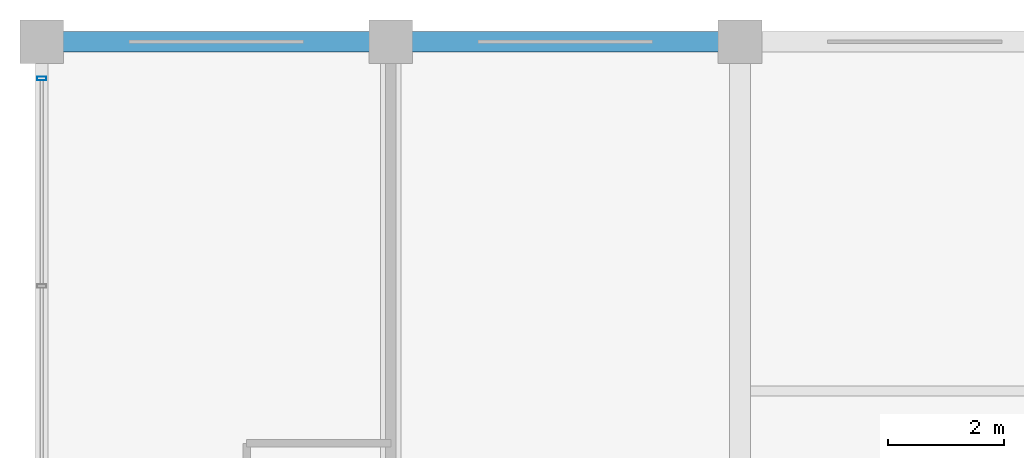
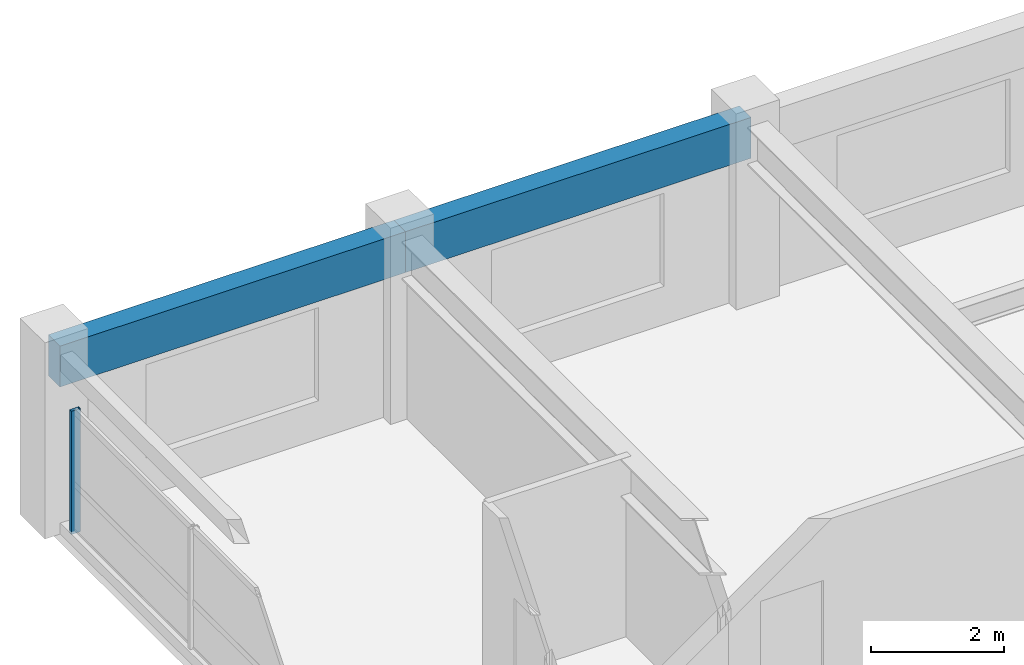
# One storey, part 12 of 20: 2 beams, 1 member, 1 element without a shape of its own.
"""IFC4 building model written with IfcOpenShell, lengths in metres."""

from ifc_helpers import new_model, si_unit, direction, frame, origin, origin_2d, place, context, subcontext, project, spatial, rectangle, hollow_rectangle, extrude, material, material_profile, profile_set, type_object, element, aggregate, save


model = new_model("IFC4")

# Units and contexts
model_context = context("Model", 3, precision=1e-05, world=origin(), true_north=direction((0.0, 1.0)))
body_context = subcontext(model_context, "Body", "Model", "MODEL_VIEW")
ifc_project = project(units=[si_unit("LENGTHUNIT", "METRE"), si_unit("AREAUNIT", "SQUARE_METRE"), si_unit("VOLUMEUNIT", "CUBIC_METRE"), si_unit("PLANEANGLEUNIT", "RADIAN"), si_unit("MASSUNIT", "GRAM", prefix="KILO")], contexts=[model_context])

# Site, building, storey
site_placement = place(None, origin())
site = spatial("IfcSite", under=ifc_project, at=site_placement, CompositionType="ELEMENT")
building_placement = place(site_placement, origin())
building = spatial("IfcBuilding", under=site, at=building_placement, Name="Kaldorvane Square Convention Centre", CompositionType="ELEMENT")
storey_placement = place(building_placement, frame((0.0, 0.0, 56.399993896484375)))
storey = spatial("IfcBuildingStorey", under=building, at=storey_placement, Name="L13", CompositionType="ELEMENT", Elevation=56.399993896484375)

# Beams
ifc_material_1 = material(Name="Concrete f'c = 42 MPa (Normalweight)", Category="concrete")
ifc_material_profile_1 = material_profile(ifc_material_1, rectangle(XDim=0.350006103515625, YDim=0.75, at=origin_2d()), Name="RCSP750X350")
ifc_profile_set_1 = profile_set([ifc_material_profile_1], Name="Concrete f'c = 42 MPa (Normalweight)")
beam_type = type_object("IfcBeamType", Name="BM-SP-RC750", PredefinedType="SPANDREL", material=ifc_profile_set_1)
for number, where, z_axis, x_axis, name in (
    (1, (30.0, 117.0, 2.9110107421875), (1.0, 0.0, 0.0), (0.0, 1.0, 0.0), "Perimeter Spandrel (L13)"),
    (2, (36.0, 117.0, 2.9110107421875), (1.0, 0.0, 0.0), (0.0, 1.0, 0.0), "Perimeter Spandrel (L13)"),
):
    element("IfcBeam", number, at=place(storey_placement, frame(where, z_axis=z_axis, x_axis=x_axis)), inside=storey, type_object=beam_type, Name=name, PredefinedType="SPANDREL", context=body_context, shape_type="SweptSolid", body=[
        extrude(rectangle(XDim=0.350006103515625, YDim=0.75, at=origin_2d()), origin(), (0.0, 0.0, 1.0), 6.0),
    ])

# Curtain wall, member
ifc_material_2 = material(Name="Anodized Aluminum and Low-E Insulated Glazing", Category="aluminium")
curtain_wall_type = type_object("IfcCurtainWallType", Name="CW-UNI-HTL-B", PredefinedType="USERDEFINED", material=ifc_material_2)
curtain_wall_placement = place(storey_placement, origin())
curtain_wall = element("IfcCurtainWall", 3, at=curtain_wall_placement, inside=storey, type_object=curtain_wall_type, Name="Curtain Wall CW-11 (L13)", ObjectType="UNITISED GLAZING", PredefinedType="USERDEFINED")
ifc_material_profile_2 = material_profile(ifc_material_2, hollow_rectangle(XDim=0.05999755859375, YDim=0.160003662109375, WallThickness=0.003204345703125, at=origin_2d()), Name="CWM-160X60")
ifc_profile_set_2 = profile_set([ifc_material_profile_2], Name="Anodized Aluminum and Low-E Insulated Glazing")
member_type = type_object("IfcMemberType", Name="CW-MUL-160", PredefinedType="MULLION", material=ifc_profile_set_2)
member_placement = place(storey_placement, frame((30.0, 116.3699951171875, 0.1500091552734375), z_axis=(0.0, 0.0, 1.0), x_axis=(0.0, -1.0, 0.0)))
member = element("IfcMember", 4, at=member_placement, type_object=member_type, Name="CW-11 mullion 1", PredefinedType="MULLION", context=body_context, shape_type="SweptSolid", body=[
    extrude(hollow_rectangle(XDim=0.05999755859375, YDim=0.160003662109375, WallThickness=0.003204345703125, at=origin_2d()), origin(), (0.0, 0.0, 1.0), 2.2599945068359375),
])
aggregate(curtain_wall, [member])

save(model, "model.ifc")
